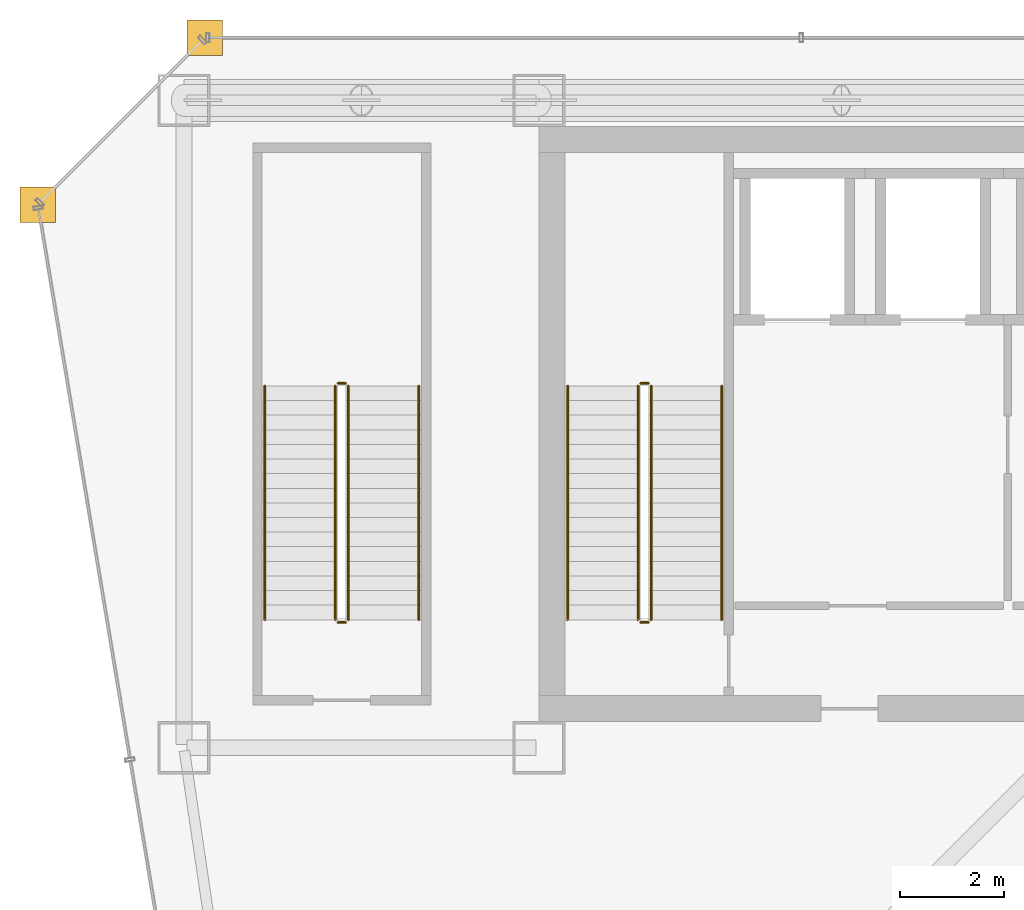
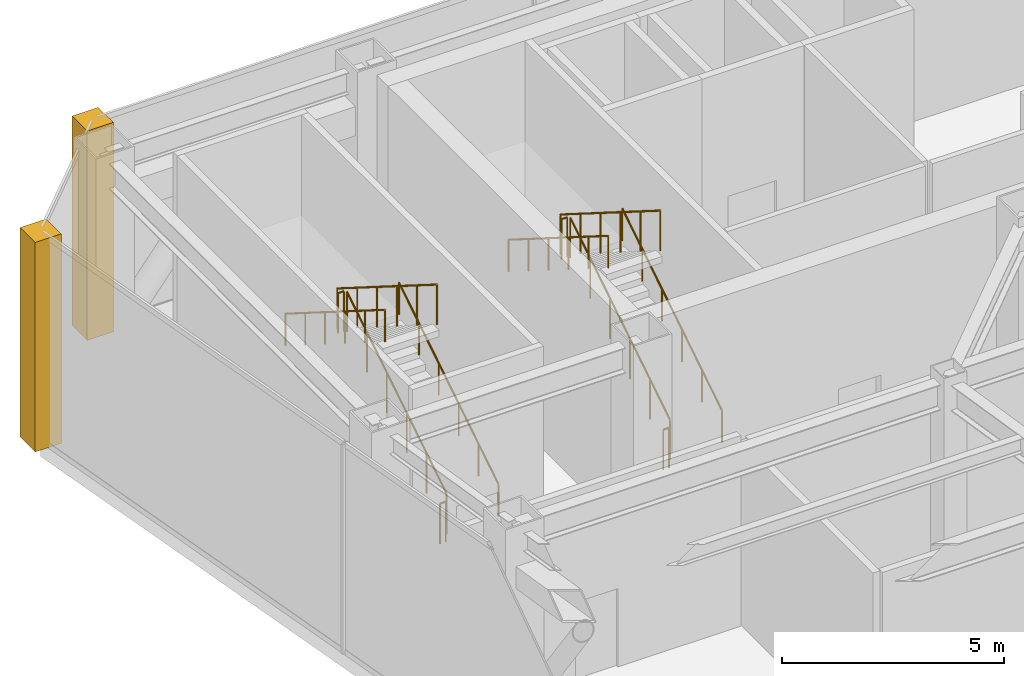
# One storey, part 29 of 30: 12 railings, 2 coverings.
"""IFC4 building model written with IfcOpenShell, lengths in metres."""

from ifc_helpers import new_model, si_unit, direction, frame, origin, origin_2d, place, context, subcontext, project, spatial, polyline, circle, outline, extrude, material, layer, layer_set, type_object, element, save


model = new_model("IFC4")

# Units and contexts
model_context = context("Model", 3, precision=1e-05, world=origin(), true_north=direction((0.0, 1.0)))
body_context = subcontext(model_context, "Body", "Model", "MODEL_VIEW")
ifc_project = project(units=[si_unit("LENGTHUNIT", "METRE"), si_unit("AREAUNIT", "SQUARE_METRE"), si_unit("VOLUMEUNIT", "CUBIC_METRE"), si_unit("PLANEANGLEUNIT", "RADIAN"), si_unit("MASSUNIT", "GRAM", prefix="KILO")], contexts=[model_context])

# Site, building, storey
site_placement = place(None, origin())
site = spatial("IfcSite", under=ifc_project, at=site_placement, CompositionType="ELEMENT")
building_placement = place(site_placement, origin())
building = spatial("IfcBuilding", under=site, at=building_placement, Name="Saevonmaru Cultural Tower", CompositionType="ELEMENT")
storey_placement = place(building_placement, frame((0.0, 0.0, 123.60009765625)))
storey = spatial("IfcBuildingStorey", under=building, at=storey_placement, Name="L26", CompositionType="ELEMENT", Elevation=123.60009765625)

# Coverings
ifc_material_1 = material(Name="Satin Bronze Anodised Aluminium", Category="aluminium")
ifc_layer = layer(ifc_material_1, 0.679931640625, Name="Satin Bronze Anodised Aluminium")
ifc_layer_set = layer_set([ifc_layer], Name="Satin Bronze Anodised Aluminium")
covering_type = type_object("IfcCoveringType", Name="CV-CORNER-CLAD", PredefinedType="CLADDING", material=ifc_layer_set)
covering_1_placement = place(storey_placement, origin())
element("IfcCovering", 1, at=covering_1_placement, inside=storey, type_object=covering_type, Name="L26 Tower Bronze Corner Cladding Pier 11", PredefinedType="CLADDING", context=body_context, shape_type="SweptSolid", body=[
    extrude(outline(polyline([(6.860107421875, 55.659912109375), (7.5400390625, 55.659912109375), (7.5400390625, 56.340087890625), (6.860107421875, 56.340087890625), (6.860107421875, 55.659912109375)])), origin(), (0.0, 0.0, 1.0), 5.75),
])
covering_2_placement = place(storey_placement, origin())
element("IfcCovering", 2, at=covering_2_placement, inside=storey, type_object=covering_type, Name="L26 Tower Bronze Corner Cladding Pier 12", PredefinedType="CLADDING", context=body_context, shape_type="SweptSolid", body=[
    extrude(outline(polyline([(3.659912109375, 52.4599609375), (4.340087890625, 52.4599609375), (4.340087890625, 53.139892578125), (3.659912109375, 53.139892578125), (3.659912109375, 52.4599609375)])), origin(), (0.0, 0.0, 1.0), 5.75),
])

# Railings
ifc_material_2 = material(Name="Architectural Painted Steel", Category="steel")
railing_type_1 = type_object("IfcRailingType", Name="RL-STAIR-GUARD", PredefinedType="GUARDRAIL", material=ifc_material_2)
railing_1_placement = place(storey_placement, frame((15.75, 44.85009765625, 0.17626953125)))
element("IfcRailing", 3, at=railing_1_placement, inside=storey, type_object=railing_type_1, Name="L26 ST-1 stair guard 1", PredefinedType="GUARDRAIL", context=body_context, shape_type="SweptSolid", body=[
    extrude(circle(Radius=0.02392578125, at=origin_2d()), frame((0.0, 0.0, 1.09619140625), z_axis=(0.0, 0.845977142166, 0.533219162196), x_axis=(-1.0, 0.0, 0.0)), (0.0, 0.0, 1.0), 5.295654296875),
    extrude(circle(Radius=0.02099609375, at=origin_2d()), origin(), (0.0, 0.0, 1.0), 1.072021484375),
    extrude(circle(Radius=0.02099609375, at=origin_2d()), frame((0.0, 0.89599609375, 0.564697265625)), (0.0, 0.0, 1.0), 1.072021484375),
    extrude(circle(Radius=0.02099609375, at=origin_2d()), frame((0.0, 1.7919921875, 1.12939453125)), (0.0, 0.0, 1.0), 1.072021484375),
    extrude(circle(Radius=0.02099609375, at=origin_2d()), frame((0.0, 2.68798828125, 1.6943359375)), (0.0, 0.0, 1.0), 1.072021484375),
    extrude(circle(Radius=0.02099609375, at=origin_2d()), frame((0.0, 3.583984375, 2.259033203125)), (0.0, 0.0, 1.0), 1.072021484375),
    extrude(circle(Radius=0.02099609375, at=origin_2d()), frame((0.0, 4.47998046875, 2.82373046875)), (0.0, 0.0, 1.0), 1.072021484375),
])
railing_2_placement = place(storey_placement, frame((15.699951171875, 49.3798828125, 3.0)))
element("IfcRailing", 4, at=railing_2_placement, inside=storey, type_object=railing_type_1, Name="L26 ST-1 stair guard 2", PredefinedType="GUARDRAIL", context=body_context, shape_type="SweptSolid", body=[
    extrude(circle(Radius=0.02392578125, at=origin_2d()), frame((0.0, 0.0, 1.09619140625), z_axis=(-1.0, 0.0, 0.0), x_axis=(0.0, -1.0, 0.0)), (0.0, 0.0, 1.0), 0.14990234375),
    extrude(circle(Radius=0.02099609375, at=origin_2d()), origin(), (0.0, 0.0, 1.0), 1.072021484375),
    extrude(circle(Radius=0.02099609375, at=origin_2d()), frame((-0.14990234375, 0.0, 0.0)), (0.0, 0.0, 1.0), 1.072021484375),
])
railing_3_placement = place(storey_placement, frame((15.5, 49.330078125, 3.17626953125)))
element("IfcRailing", 5, at=railing_3_placement, inside=storey, type_object=railing_type_1, Name="L26 ST-1 stair guard 3", PredefinedType="GUARDRAIL", context=body_context, shape_type="SweptSolid", body=[
    extrude(circle(Radius=0.02392578125, at=origin_2d()), frame((0.0, 0.0, 1.09619140625), z_axis=(0.0, -0.845977142166, 0.533219162196), x_axis=(1.0, 0.0, 0.0)), (0.0, 0.0, 1.0), 5.295654296875),
    extrude(circle(Radius=0.02099609375, at=origin_2d()), origin(), (0.0, 0.0, 1.0), 1.072021484375),
    extrude(circle(Radius=0.02099609375, at=origin_2d()), frame((0.0, -0.89599609375, 0.564697265625)), (0.0, 0.0, 1.0), 1.072021484375),
    extrude(circle(Radius=0.02099609375, at=origin_2d()), frame((0.0, -1.7919921875, 1.12939453125)), (0.0, 0.0, 1.0), 1.072021484375),
    extrude(circle(Radius=0.02099609375, at=origin_2d()), frame((0.0, -2.68798828125, 1.6943359375)), (0.0, 0.0, 1.0), 1.072021484375),
    extrude(circle(Radius=0.02099609375, at=origin_2d()), frame((0.0, -3.583984375, 2.259033203125)), (0.0, 0.0, 1.0), 1.072021484375),
    extrude(circle(Radius=0.02099609375, at=origin_2d()), frame((0.0, -4.47998046875, 2.82373046875)), (0.0, 0.0, 1.0), 1.072021484375),
])
railing_4_placement = place(storey_placement, frame((15.699951171875, 44.800048828125, 0.0)))
element("IfcRailing", 6, at=railing_4_placement, inside=storey, type_object=railing_type_1, Name="L26 ST-1 stair guard 4", PredefinedType="GUARDRAIL", context=body_context, shape_type="SweptSolid", body=[
    extrude(circle(Radius=0.02392578125, at=origin_2d()), frame((0.0, 0.0, 1.09619140625), z_axis=(-1.0, 0.0, 0.0), x_axis=(0.0, -1.0, 0.0)), (0.0, 0.0, 1.0), 0.14990234375),
    extrude(circle(Radius=0.02099609375, at=origin_2d()), origin(), (0.0, 0.0, 1.0), 1.072021484375),
    extrude(circle(Radius=0.02099609375, at=origin_2d()), frame((-0.14990234375, 0.0, 0.0)), (0.0, 0.0, 1.0), 1.072021484375),
])
railing_5_placement = place(storey_placement, frame((9.949951171875, 44.85009765625, 0.17626953125)))
element("IfcRailing", 7, at=railing_5_placement, inside=storey, type_object=railing_type_1, Name="L26 ST-3 stair guard 1", PredefinedType="GUARDRAIL", context=body_context, shape_type="SweptSolid", body=[
    extrude(circle(Radius=0.02392578125, at=origin_2d()), frame((0.0, 0.0, 1.09619140625), z_axis=(0.0, 0.845977142166, 0.533219162196), x_axis=(-1.0, 0.0, 0.0)), (0.0, 0.0, 1.0), 5.295654296875),
    extrude(circle(Radius=0.02099609375, at=origin_2d()), origin(), (0.0, 0.0, 1.0), 1.072021484375),
    extrude(circle(Radius=0.02099609375, at=origin_2d()), frame((0.0, 0.89599609375, 0.564697265625)), (0.0, 0.0, 1.0), 1.072021484375),
    extrude(circle(Radius=0.02099609375, at=origin_2d()), frame((0.0, 1.7919921875, 1.12939453125)), (0.0, 0.0, 1.0), 1.072021484375),
    extrude(circle(Radius=0.02099609375, at=origin_2d()), frame((0.0, 2.68798828125, 1.6943359375)), (0.0, 0.0, 1.0), 1.072021484375),
    extrude(circle(Radius=0.02099609375, at=origin_2d()), frame((0.0, 3.583984375, 2.259033203125)), (0.0, 0.0, 1.0), 1.072021484375),
    extrude(circle(Radius=0.02099609375, at=origin_2d()), frame((0.0, 4.47998046875, 2.82373046875)), (0.0, 0.0, 1.0), 1.072021484375),
])
railing_6_placement = place(storey_placement, frame((9.89990234375, 49.3798828125, 3.0)))
element("IfcRailing", 8, at=railing_6_placement, inside=storey, type_object=railing_type_1, Name="L26 ST-3 stair guard 2", PredefinedType="GUARDRAIL", context=body_context, shape_type="SweptSolid", body=[
    extrude(circle(Radius=0.02392578125, at=origin_2d()), frame((0.0, 0.0, 1.09619140625), z_axis=(-1.0, 0.0, 0.0), x_axis=(0.0, -1.0, 0.0)), (0.0, 0.0, 1.0), 0.14990234375),
    extrude(circle(Radius=0.02099609375, at=origin_2d()), origin(), (0.0, 0.0, 1.0), 1.072021484375),
    extrude(circle(Radius=0.02099609375, at=origin_2d()), frame((-0.14990234375, 0.0, 0.0)), (0.0, 0.0, 1.0), 1.072021484375),
])
railing_7_placement = place(storey_placement, frame((9.699951171875, 49.330078125, 3.17626953125)))
element("IfcRailing", 9, at=railing_7_placement, inside=storey, type_object=railing_type_1, Name="L26 ST-3 stair guard 3", PredefinedType="GUARDRAIL", context=body_context, shape_type="SweptSolid", body=[
    extrude(circle(Radius=0.02392578125, at=origin_2d()), frame((0.0, 0.0, 1.09619140625), z_axis=(0.0, -0.845977142166, 0.533219162196), x_axis=(1.0, 0.0, 0.0)), (0.0, 0.0, 1.0), 5.295654296875),
    extrude(circle(Radius=0.02099609375, at=origin_2d()), origin(), (0.0, 0.0, 1.0), 1.072021484375),
    extrude(circle(Radius=0.02099609375, at=origin_2d()), frame((0.0, -0.89599609375, 0.564697265625)), (0.0, 0.0, 1.0), 1.072021484375),
    extrude(circle(Radius=0.02099609375, at=origin_2d()), frame((0.0, -1.7919921875, 1.12939453125)), (0.0, 0.0, 1.0), 1.072021484375),
    extrude(circle(Radius=0.02099609375, at=origin_2d()), frame((0.0, -2.68798828125, 1.6943359375)), (0.0, 0.0, 1.0), 1.072021484375),
    extrude(circle(Radius=0.02099609375, at=origin_2d()), frame((0.0, -3.583984375, 2.259033203125)), (0.0, 0.0, 1.0), 1.072021484375),
    extrude(circle(Radius=0.02099609375, at=origin_2d()), frame((0.0, -4.47998046875, 2.82373046875)), (0.0, 0.0, 1.0), 1.072021484375),
])
railing_8_placement = place(storey_placement, frame((9.89990234375, 44.800048828125, 0.0)))
element("IfcRailing", 10, at=railing_8_placement, inside=storey, type_object=railing_type_1, Name="L26 ST-3 stair guard 4", PredefinedType="GUARDRAIL", context=body_context, shape_type="SweptSolid", body=[
    extrude(circle(Radius=0.02392578125, at=origin_2d()), frame((0.0, 0.0, 1.09619140625), z_axis=(-1.0, 0.0, 0.0), x_axis=(0.0, -1.0, 0.0)), (0.0, 0.0, 1.0), 0.14990234375),
    extrude(circle(Radius=0.02099609375, at=origin_2d()), origin(), (0.0, 0.0, 1.0), 1.072021484375),
    extrude(circle(Radius=0.02099609375, at=origin_2d()), frame((-0.14990234375, 0.0, 0.0)), (0.0, 0.0, 1.0), 1.072021484375),
])
railing_type_2 = type_object("IfcRailingType", Name="RL-STAIR-HANDRAIL", PredefinedType="HANDRAIL", material=ifc_material_1)
railing_9_placement = place(storey_placement, frame((17.10009765625, 44.85009765625, 0.17626953125)))
element("IfcRailing", 11, at=railing_9_placement, inside=storey, type_object=railing_type_2, Name="L26 ST-1 stair handrail 1", PredefinedType="HANDRAIL", context=body_context, shape_type="SweptSolid", body=[
    extrude(circle(Radius=0.02392578125, at=origin_2d()), frame((0.0, 0.0, 0.8759765625), z_axis=(0.0, 0.845977142166, 0.533219162196), x_axis=(-1.0, 0.0, 0.0)), (0.0, 0.0, 1.0), 5.295654296875),
    extrude(circle(Radius=0.02099609375, at=origin_2d()), origin(), (0.0, 0.0, 1.0), 0.851806640625),
    extrude(circle(Radius=0.02099609375, at=origin_2d()), frame((0.0, 0.89599609375, 0.564697265625)), (0.0, 0.0, 1.0), 0.851806640625),
    extrude(circle(Radius=0.02099609375, at=origin_2d()), frame((0.0, 1.7919921875, 1.12939453125)), (0.0, 0.0, 1.0), 0.851806640625),
    extrude(circle(Radius=0.02099609375, at=origin_2d()), frame((0.0, 2.68798828125, 1.6943359375)), (0.0, 0.0, 1.0), 0.851806640625),
    extrude(circle(Radius=0.02099609375, at=origin_2d()), frame((0.0, 3.583984375, 2.259033203125)), (0.0, 0.0, 1.0), 0.851806640625),
    extrude(circle(Radius=0.02099609375, at=origin_2d()), frame((0.0, 4.47998046875, 2.82373046875)), (0.0, 0.0, 1.0), 0.851806640625),
])
railing_10_placement = place(storey_placement, frame((14.14990234375, 49.330078125, 3.17626953125)))
element("IfcRailing", 12, at=railing_10_placement, inside=storey, type_object=railing_type_2, Name="L26 ST-1 stair handrail 2", PredefinedType="HANDRAIL", context=body_context, shape_type="SweptSolid", body=[
    extrude(circle(Radius=0.02392578125, at=origin_2d()), frame((0.0, 0.0, 0.8759765625), z_axis=(0.0, -0.845977142166, 0.533219162196), x_axis=(1.0, 0.0, 0.0)), (0.0, 0.0, 1.0), 5.295654296875),
    extrude(circle(Radius=0.02099609375, at=origin_2d()), origin(), (0.0, 0.0, 1.0), 0.851806640625),
    extrude(circle(Radius=0.02099609375, at=origin_2d()), frame((0.0, -0.89599609375, 0.564697265625)), (0.0, 0.0, 1.0), 0.851806640625),
    extrude(circle(Radius=0.02099609375, at=origin_2d()), frame((0.0, -1.7919921875, 1.12939453125)), (0.0, 0.0, 1.0), 0.851806640625),
    extrude(circle(Radius=0.02099609375, at=origin_2d()), frame((0.0, -2.68798828125, 1.6943359375)), (0.0, 0.0, 1.0), 0.851806640625),
    extrude(circle(Radius=0.02099609375, at=origin_2d()), frame((0.0, -3.583984375, 2.259033203125)), (0.0, 0.0, 1.0), 0.851806640625),
    extrude(circle(Radius=0.02099609375, at=origin_2d()), frame((0.0, -4.47998046875, 2.82373046875)), (0.0, 0.0, 1.0), 0.851806640625),
])
railing_11_placement = place(storey_placement, frame((11.300048828125, 44.85009765625, 0.17626953125)))
element("IfcRailing", 13, at=railing_11_placement, inside=storey, type_object=railing_type_2, Name="L26 ST-3 stair handrail 1", PredefinedType="HANDRAIL", context=body_context, shape_type="SweptSolid", body=[
    extrude(circle(Radius=0.02392578125, at=origin_2d()), frame((0.0, 0.0, 0.8759765625), z_axis=(0.0, 0.845977142166, 0.533219162196), x_axis=(-1.0, 0.0, 0.0)), (0.0, 0.0, 1.0), 5.295654296875),
    extrude(circle(Radius=0.02099609375, at=origin_2d()), origin(), (0.0, 0.0, 1.0), 0.851806640625),
    extrude(circle(Radius=0.02099609375, at=origin_2d()), frame((0.0, 0.89599609375, 0.564697265625)), (0.0, 0.0, 1.0), 0.851806640625),
    extrude(circle(Radius=0.02099609375, at=origin_2d()), frame((0.0, 1.7919921875, 1.12939453125)), (0.0, 0.0, 1.0), 0.851806640625),
    extrude(circle(Radius=0.02099609375, at=origin_2d()), frame((0.0, 2.68798828125, 1.6943359375)), (0.0, 0.0, 1.0), 0.851806640625),
    extrude(circle(Radius=0.02099609375, at=origin_2d()), frame((0.0, 3.583984375, 2.259033203125)), (0.0, 0.0, 1.0), 0.851806640625),
    extrude(circle(Radius=0.02099609375, at=origin_2d()), frame((0.0, 4.47998046875, 2.82373046875)), (0.0, 0.0, 1.0), 0.851806640625),
])
railing_12_placement = place(storey_placement, frame((8.35009765625, 49.330078125, 3.17626953125)))
element("IfcRailing", 14, at=railing_12_placement, inside=storey, type_object=railing_type_2, Name="L26 ST-3 stair handrail 2", PredefinedType="HANDRAIL", context=body_context, shape_type="SweptSolid", body=[
    extrude(circle(Radius=0.02392578125, at=origin_2d()), frame((0.0, 0.0, 0.8759765625), z_axis=(0.0, -0.845977142166, 0.533219162196), x_axis=(1.0, 0.0, 0.0)), (0.0, 0.0, 1.0), 5.295654296875),
    extrude(circle(Radius=0.02099609375, at=origin_2d()), origin(), (0.0, 0.0, 1.0), 0.851806640625),
    extrude(circle(Radius=0.02099609375, at=origin_2d()), frame((0.0, -0.89599609375, 0.564697265625)), (0.0, 0.0, 1.0), 0.851806640625),
    extrude(circle(Radius=0.02099609375, at=origin_2d()), frame((0.0, -1.7919921875, 1.12939453125)), (0.0, 0.0, 1.0), 0.851806640625),
    extrude(circle(Radius=0.02099609375, at=origin_2d()), frame((0.0, -2.68798828125, 1.6943359375)), (0.0, 0.0, 1.0), 0.851806640625),
    extrude(circle(Radius=0.02099609375, at=origin_2d()), frame((0.0, -3.583984375, 2.259033203125)), (0.0, 0.0, 1.0), 0.851806640625),
    extrude(circle(Radius=0.02099609375, at=origin_2d()), frame((0.0, -4.47998046875, 2.82373046875)), (0.0, 0.0, 1.0), 0.851806640625),
])

save(model, "model.ifc")
